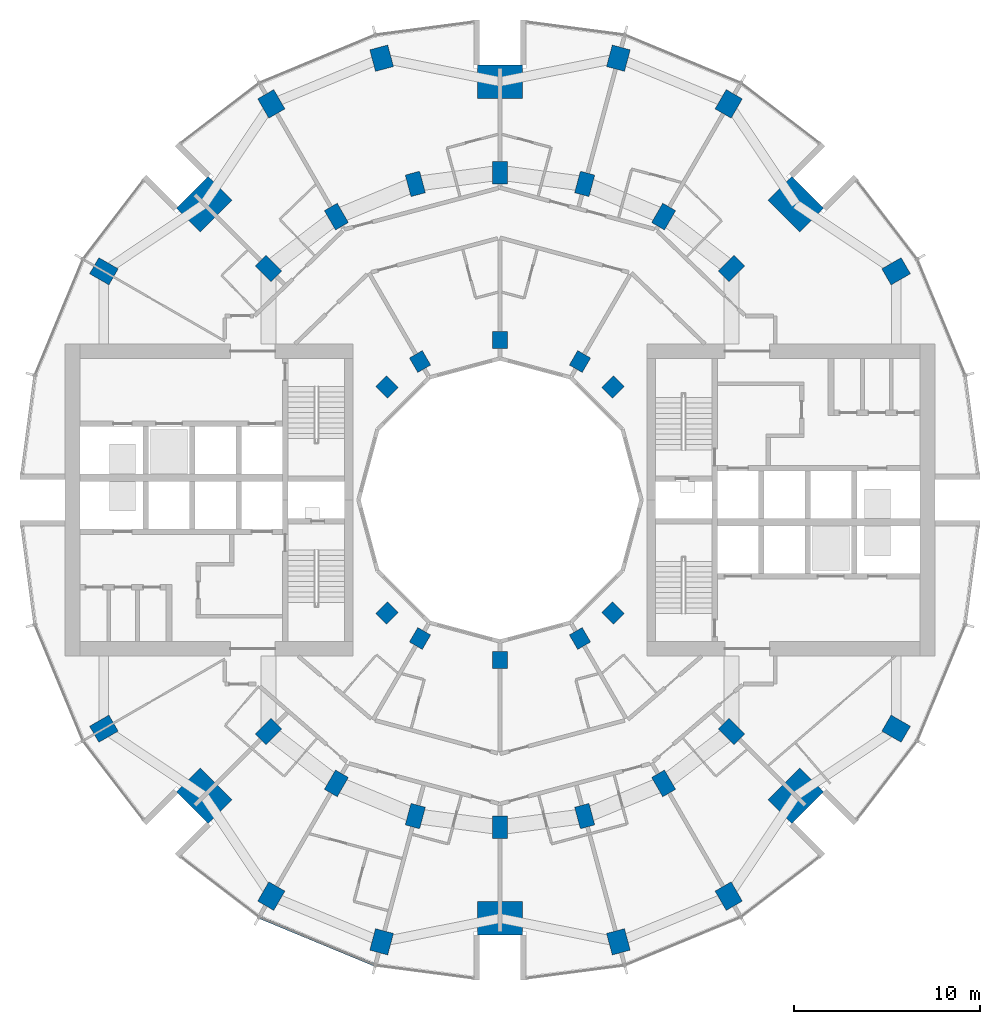
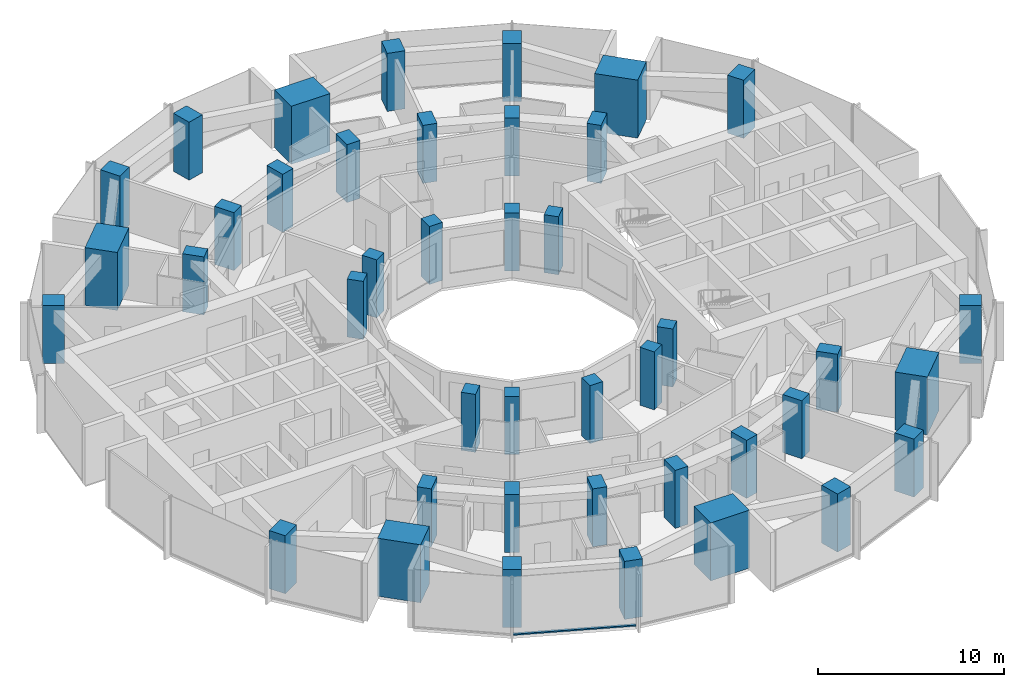
# One storey, part 1 of 15: 42 columns, 1 member, 1 element without a shape of its own.
"""IFC4 building model written with IfcOpenShell, lengths in metres."""

from ifc_helpers import new_model, si_unit, direction, frame, origin, origin_2d, place, context, subcontext, project, spatial, rectangle, extrude, material, layer, layer_set, material_profile, profile_set, type_object, element, aggregate, save


model = new_model("IFC4")

# Units and contexts
model_context = context("Model", 3, precision=1e-05, world=origin(), true_north=direction((0.0, 1.0)))
body_context = subcontext(model_context, "Body", "Model", "MODEL_VIEW")
ifc_project = project(units=[si_unit("LENGTHUNIT", "METRE"), si_unit("AREAUNIT", "SQUARE_METRE"), si_unit("VOLUMEUNIT", "CUBIC_METRE"), si_unit("PLANEANGLEUNIT", "RADIAN"), si_unit("MASSUNIT", "GRAM", prefix="KILO")], contexts=[model_context])

# Site, building, storey
site_placement = place(None, origin())
site = spatial("IfcSite", under=ifc_project, at=site_placement, CompositionType="ELEMENT")
building_placement = place(site_placement, origin())
building = spatial("IfcBuilding", under=site, at=building_placement, Name="Torre Brocal", CompositionType="ELEMENT")
storey_placement = place(building_placement, frame((0.0, 0.0, 55.39990234375)))
storey = spatial("IfcBuildingStorey", under=building, at=storey_placement, Name="L12", CompositionType="ELEMENT", Elevation=55.39990234375)

# Columns
ifc_material_1 = material(Name="Concrete C80", Category="concrete")
ifc_material_profile_1 = material_profile(ifc_material_1, rectangle(XDim=1.199951171875, YDim=1.0, at=origin_2d()), Name="RC 1200X1000")
ifc_profile_set_1 = profile_set([ifc_material_profile_1], Name="Concrete C80")
column_type_1 = type_object("IfcColumnType", Name="RC COLUMN 1200X1000 C80", PredefinedType="COLUMN", material=ifc_profile_set_1)
for number, where, z_axis, x_axis, name in (
    (1, (101.30419921875, 87.300048828125, 0.0), (0.0, 0.0, 1.0), (0.866025403784, 0.5, 0.0), "Column C-O02"),
    (2, (92.300048828125, 96.30419921875, 0.0), (0.0, 0.0, 1.0), (0.5, 0.866025403784, 0.0), "Column C-O04"),
    (3, (86.366943359375, 98.76171875, 0.0), (0.0, 0.0, 1.0), (0.258819045103, 0.965925826289, 0.0), "Column C-O05"),
    (4, (73.633056640625, 98.76171875, 0.0), (0.0, 0.0, 1.0), (-0.258819045103, 0.965925826289, 0.0), "Column C-O07"),
    (5, (67.699951171875, 96.30419921875, 0.0), (0.0, 0.0, 1.0), (-0.5, 0.866025403784, 0.0), "Column C-O08"),
    (6, (58.69580078125, 87.300048828125, 0.0), (0.0, 0.0, 1.0), (-0.866025403784, 0.5, 0.0), "Column C-O10"),
    (7, (58.69580078125, 62.699951171875, 0.0), (0.0, 0.0, 1.0), (-0.866025403784, -0.5, 0.0), "Column C-O14"),
    (8, (67.699951171875, 53.69580078125, 0.0), (0.0, 0.0, 1.0), (-0.5, -0.866025403784, 0.0), "Column C-O16"),
    (9, (73.633056640625, 51.23828125, 0.0), (0.0, 0.0, 1.0), (-0.258819045103, -0.965925826289, 0.0), "Column C-O17"),
    (10, (86.366943359375, 51.23828125, 0.0), (0.0, 0.0, 1.0), (0.258819045103, -0.965925826289, 0.0), "Column C-O19"),
    (11, (92.300048828125, 53.69580078125, 0.0), (0.0, 0.0, 1.0), (0.5, -0.866025403784, 0.0), "Column C-O20"),
    (12, (101.30419921875, 62.699951171875, 0.0), (0.0, 0.0, 1.0), (0.866025403784, -0.5, 0.0), "Column C-O22"),
):
    element("IfcColumn", number, at=place(storey_placement, frame(where, z_axis=z_axis, x_axis=x_axis)), inside=storey, type_object=column_type_1, Name=name, PredefinedType="COLUMN", context=body_context, shape_type="SweptSolid", body=[
        extrude(rectangle(XDim=1.199951171875, YDim=1.0, at=origin_2d()), origin(), (0.0, 0.0, 1.0), 3.800048828125),
    ])
ifc_material_2 = material(Name="Concrete C80", Category="concrete")
ifc_material_profile_2 = material_profile(ifc_material_2, rectangle(XDim=1.199951171875, YDim=0.800048828125, at=origin_2d()), Name="RC 1200X800")
ifc_profile_set_2 = profile_set([ifc_material_profile_2], Name="Concrete C80")
column_type_2 = type_object("IfcColumnType", Name="RC COLUMN 1200X800 C80", PredefinedType="COLUMN", material=ifc_profile_set_2)
for number, where, z_axis, x_axis, name in (
    (13, (92.445068359375, 87.445068359375, 0.0), (0.0, 0.0, 1.0), (0.707106781187, 0.707106781187, 0.0), "Column C-M03"),
    (14, (88.800048828125, 90.241943359375, 0.0), (0.0, 0.0, 1.0), (0.5, 0.866025403784, 0.0), "Column C-M04"),
    (15, (84.55517578125, 92.000244140625, 0.0), (0.0, 0.0, 1.0), (0.258819045103, 0.965925826289, 0.0), "Column C-M05"),
    (16, (80.0, 92.60009765625, 0.0), (0.0, 0.0, 1.0), (0.0, 1.0, 0.0), "Column C-M06"),
    (17, (75.44482421875, 92.000244140625, 0.0), (0.0, 0.0, 1.0), (-0.258819045103, 0.965925826289, 0.0), "Column C-M07"),
    (18, (71.199951171875, 90.241943359375, 0.0), (0.0, 0.0, 1.0), (-0.5, 0.866025403784, 0.0), "Column C-M08"),
    (19, (67.554931640625, 87.445068359375, 0.0), (0.0, 0.0, 1.0), (-0.707106781187, 0.707106781187, 0.0), "Column C-M09"),
    (20, (67.554931640625, 62.554931640625, 0.0), (0.0, 0.0, 1.0), (-0.707106781187, -0.707106781187, 0.0), "Column C-M15"),
    (21, (71.199951171875, 59.758056640625, 0.0), (0.0, 0.0, 1.0), (-0.5, -0.866025403784, 0.0), "Column C-M16"),
    (22, (75.44482421875, 57.999755859375, 0.0), (0.0, 0.0, 1.0), (-0.258819045103, -0.965925826289, 0.0), "Column C-M17"),
    (23, (80.0, 57.39990234375, 0.0), (0.0, 0.0, 1.0), (0.0, -1.0, 0.0), "Column C-M18"),
    (24, (84.55517578125, 57.999755859375, 0.0), (0.0, 0.0, 1.0), (0.258819045103, -0.965925826289, 0.0), "Column C-M19"),
    (25, (88.800048828125, 59.758056640625, 0.0), (0.0, 0.0, 1.0), (0.5, -0.866025403784, 0.0), "Column C-M20"),
    (26, (92.445068359375, 62.554931640625, 0.0), (0.0, 0.0, 1.0), (0.707106781187, -0.707106781187, 0.0), "Column C-M21"),
):
    element("IfcColumn", number, at=place(storey_placement, frame(where, z_axis=z_axis, x_axis=x_axis)), inside=storey, type_object=column_type_2, Name=name, PredefinedType="COLUMN", context=body_context, shape_type="SweptSolid", body=[
        extrude(rectangle(XDim=1.199951171875, YDim=0.800048828125, at=origin_2d()), origin(), (0.0, 0.0, 1.0), 3.800048828125),
    ])
ifc_material_3 = material(Name="Concrete C80", Category="concrete")
ifc_material_profile_3 = material_profile(ifc_material_3, rectangle(XDim=1.800048828125, YDim=2.39990234375, at=origin_2d()), Name="RC 1800X2400")
ifc_profile_set_3 = profile_set([ifc_material_profile_3], Name="Concrete C80")
column_type_3 = type_object("IfcColumnType", Name="RC COLUMN 1800X2400 C80", PredefinedType="COLUMN", material=ifc_profile_set_3)
for number, where, z_axis, x_axis, name in (
    (27, (95.909912109375, 90.909912109375, 0.0), (0.0, 0.0, 1.0), (0.707106781187, 0.707106781187, 0.0), "Column MC-1"),
    (28, (80.0, 97.5, 0.0), (0.0, 0.0, 1.0), (0.0, 1.0, 0.0), "Column MC-2"),
    (29, (64.090087890625, 90.909912109375, 0.0), (0.0, 0.0, 1.0), (-0.707106781187, 0.707106781187, 0.0), "Column MC-3"),
    (30, (64.090087890625, 59.090087890625, 0.0), (0.0, 0.0, 1.0), (-0.707106781187, -0.707106781187, 0.0), "Column MC-5"),
    (31, (80.0, 52.5, 0.0), (0.0, 0.0, 1.0), (0.0, -1.0, 0.0), "Column MC-6"),
    (32, (95.909912109375, 59.090087890625, 0.0), (0.0, 0.0, 1.0), (0.707106781187, -0.707106781187, 0.0), "Column MC-7"),
):
    element("IfcColumn", number, at=place(storey_placement, frame(where, z_axis=z_axis, x_axis=x_axis)), inside=storey, type_object=column_type_3, Name=name, PredefinedType="COLUMN", context=body_context, shape_type="SweptSolid", body=[
        extrude(rectangle(XDim=1.800048828125, YDim=2.39990234375, at=origin_2d()), origin(), (0.0, 0.0, 1.0), 3.800048828125),
    ])
ifc_material_4 = material(Name="Concrete C80", Category="concrete")
ifc_material_profile_4 = material_profile(ifc_material_4, rectangle(XDim=0.89990234375, YDim=0.800048828125, at=origin_2d()), Name="RC 900X800")
ifc_profile_set_4 = profile_set([ifc_material_profile_4], Name="Concrete C80")
column_type_4 = type_object("IfcColumnType", Name="RC COLUMN 900X800 C80", PredefinedType="COLUMN", material=ifc_profile_set_4)
for number, where, z_axis, x_axis, name in (
    (33, (86.0810546875, 81.0810546875, 0.0), (0.0, 0.0, 1.0), (0.707106781187, 0.707106781187, 0.0), "Column C-I03"),
    (34, (84.300048828125, 82.44775390625, 0.0), (0.0, 0.0, 1.0), (0.5, 0.866025403784, 0.0), "Column C-I04"),
    (35, (80.0, 83.60009765625, 0.0), (0.0, 0.0, 1.0), (0.0, 1.0, 0.0), "Column C-I06"),
    (36, (75.699951171875, 82.44775390625, 0.0), (0.0, 0.0, 1.0), (-0.5, 0.866025403784, 0.0), "Column C-I08"),
    (37, (73.9189453125, 81.0810546875, 0.0), (0.0, 0.0, 1.0), (-0.707106781187, 0.707106781187, 0.0), "Column C-I09"),
    (38, (73.9189453125, 68.9189453125, 0.0), (0.0, 0.0, 1.0), (-0.707106781187, -0.707106781187, 0.0), "Column C-I15"),
    (39, (75.699951171875, 67.55224609375, 0.0), (0.0, 0.0, 1.0), (-0.5, -0.866025403784, 0.0), "Column C-I16"),
    (40, (80.0, 66.39990234375, 0.0), (0.0, 0.0, 1.0), (0.0, -1.0, 0.0), "Column C-I18"),
    (41, (84.300048828125, 67.55224609375, 0.0), (0.0, 0.0, 1.0), (0.5, -0.866025403784, 0.0), "Column C-I20"),
    (42, (86.0810546875, 68.9189453125, 0.0), (0.0, 0.0, 1.0), (0.707106781187, -0.707106781187, 0.0), "Column C-I21"),
):
    element("IfcColumn", number, at=place(storey_placement, frame(where, z_axis=z_axis, x_axis=x_axis)), inside=storey, type_object=column_type_4, Name=name, PredefinedType="COLUMN", context=body_context, shape_type="SweptSolid", body=[
        extrude(rectangle(XDim=0.89990234375, YDim=0.800048828125, at=origin_2d()), origin(), (0.0, 0.0, 1.0), 3.800048828125),
    ])

# Curtain wall, member
ifc_material_5 = material(Name="Aluminium and glass", Category="aluminium")
ifc_layer = layer(ifc_material_5, 0.199951171875)
ifc_layer_set = layer_set([ifc_layer], Name="Aluminium and glass")
curtain_wall_type = type_object("IfcCurtainWallType", Name="CW-1 CURTAIN WALL 3800 HIGH", PredefinedType="NOTDEFINED", material=ifc_layer_set)
curtain_wall_placement = place(storey_placement, origin())
curtain_wall = element("IfcCurtainWall", 43, at=curtain_wall_placement, inside=storey, type_object=curtain_wall_type, Name="CW-1 RUN 17", PredefinedType="NOTDEFINED")
ifc_material_6 = material(Name="Aluminium, dark anodised", Category="aluminium")
ifc_material_profile_5 = material_profile(ifc_material_6, rectangle(XDim=0.159912109375, YDim=0.080078125, at=origin_2d()), Name="CW-1 TRANSOM 160X80")
ifc_profile_set_5 = profile_set([ifc_material_profile_5], Name="Aluminium, dark anodised")
member_type = type_object("IfcMemberType", Name="CW-1 TRANSOM 160X80", PredefinedType="USERDEFINED", material=ifc_profile_set_5)
member_placement = place(storey_placement, frame((67.10595703125, 52.547607421875, 0.0400390625), z_axis=(0.923887344364, -0.38266457234, 0.0), x_axis=(0.38266457234, 0.923887344364, 0.0)))
member = element("IfcMember", 44, at=member_placement, type_object=member_type, Name="CW1-1 transom 1.1", ObjectType="TRANSOM", PredefinedType="USERDEFINED", context=body_context, shape_type="SweptSolid", body=[
    extrude(rectangle(XDim=0.159912109375, YDim=0.080078125, at=origin_2d()), origin(), (0.0, 0.0, 1.0), 6.640869140625),
])
aggregate(curtain_wall, [member])

save(model, "model.ifc")
